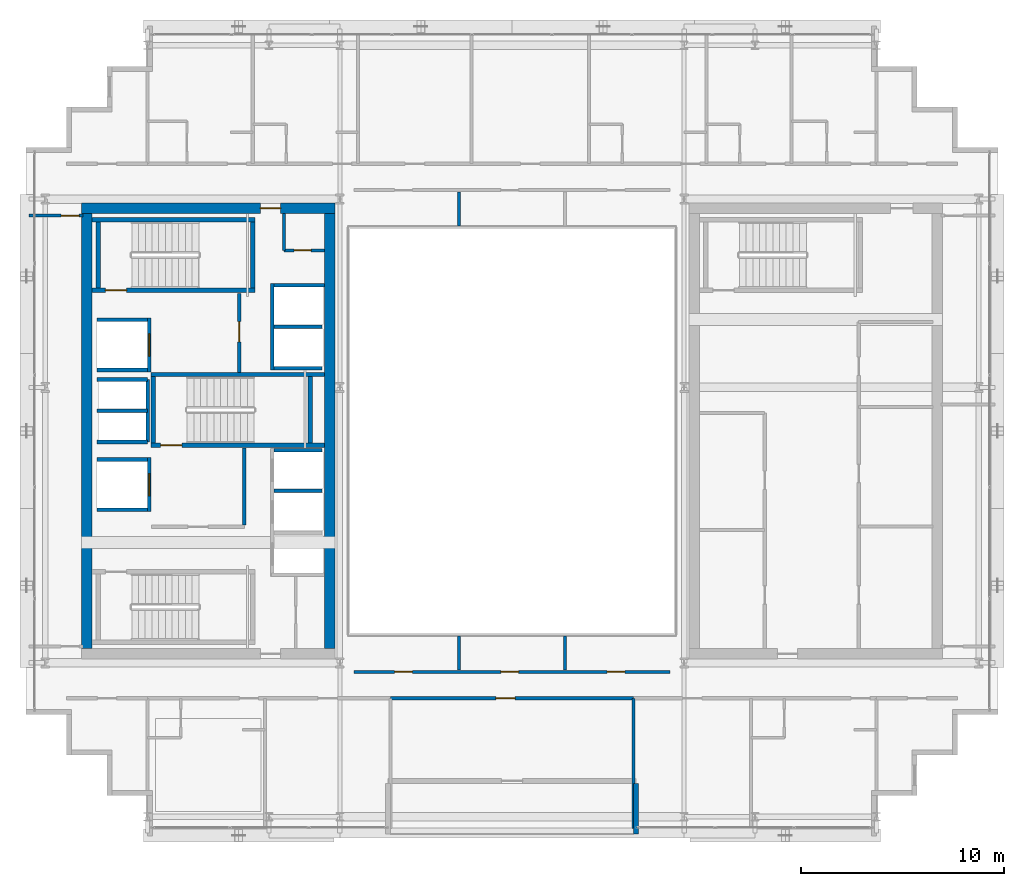
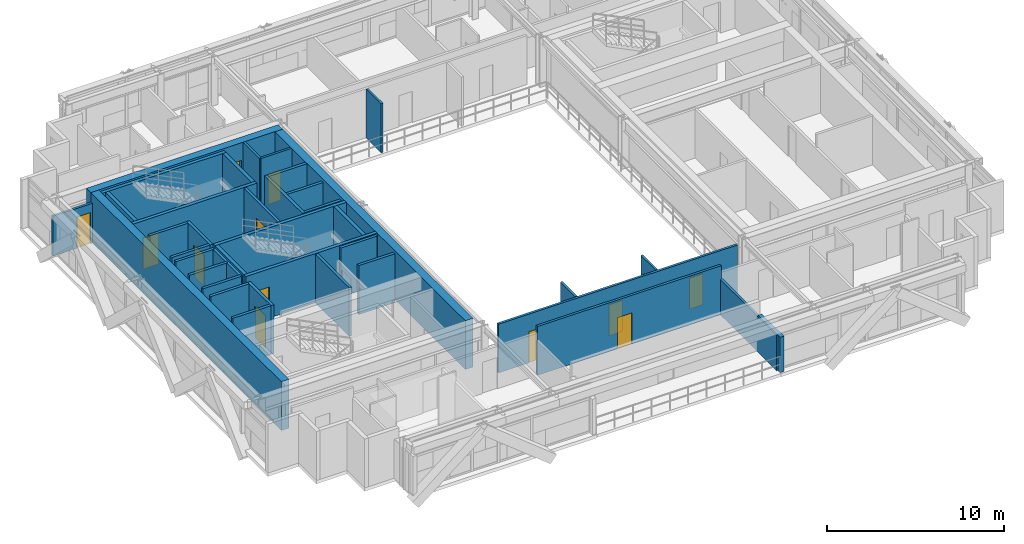
# One storey, part 24 of 31: 39 walls, 12 doors, 12 openings.
"""IFC4 building model written with IfcOpenShell, lengths in metres."""

from ifc_helpers import new_model, si_unit, direction, frame, frame_2d, origin, place, context, subcontext, project, spatial, rectangle, extrude, source, transform, mapped, material, layer, layer_set, type_object, element, fill, save


model = new_model("IFC4")

# Units and contexts
model_context = context("Model", 3, precision=1e-05, world=origin(), true_north=direction((0.0, 1.0)))
body_context = subcontext(model_context, "Body", "Model", "MODEL_VIEW")
ifc_project = project(units=[si_unit("LENGTHUNIT", "METRE"), si_unit("AREAUNIT", "SQUARE_METRE"), si_unit("VOLUMEUNIT", "CUBIC_METRE"), si_unit("PLANEANGLEUNIT", "RADIAN"), si_unit("MASSUNIT", "GRAM", prefix="KILO")], contexts=[model_context])

# Site, building, storey
site_placement = place(None, origin())
site = spatial("IfcSite", under=ifc_project, at=site_placement, CompositionType="ELEMENT")
building_placement = place(site_placement, origin())
building = spatial("IfcBuilding", under=site, at=building_placement, Name="Ocotamira Hotel", CompositionType="ELEMENT")
storey_placement = place(building_placement, frame((0.0, 0.0, 188.39990234375)))
storey = spatial("IfcBuildingStorey", under=building, at=storey_placement, Name="L47", CompositionType="ELEMENT", Elevation=188.39990234375)

# Wall, opening, door
ifc_material_1 = material(Name="Concrete C50/60", Category="concrete")
ifc_layer_1 = layer(ifc_material_1, 0.5)
ifc_layer_set_1 = layer_set([ifc_layer_1], Name="Concrete C50/60")
wall_type_1 = type_object("IfcWallType", Name="WL-CORE-500", PredefinedType="SHEAR", material=ifc_layer_set_1)
wall_1_placement = place(storey_placement, frame((10.75, 37.0, 0.0), z_axis=(0.0, 0.0, 1.0), x_axis=(1.0, 0.0, 0.0)))
wall_1 = element("IfcWall", 1, at=wall_1_placement, inside=storey, type_object=wall_type_1, Name="L47 Shear Core Wall WCORE-N", PredefinedType="SHEAR", context=body_context, shape_type="SweptSolid", body=[
    extrude(rectangle(XDim=12.5, YDim=0.5, at=frame_2d((6.25, 0.0))), origin(), (0.0, 0.0, 1.0), 3.3701171875),
])
opening_1_placement = place(wall_1_placement, frame((8.830078125, 0.0, 0.0)))
opening_1 = element("IfcOpeningElement", 2, at=opening_1_placement, cuts=wall_1, Name="Opening D-FR2", PredefinedType="OPENING", context=body_context, shape_type="SweptSolid", body=[
    extrude(rectangle(XDim=1.0, YDim=2.14990234375, at=frame_2d((0.5, 1.074951171875))), frame((0.0, 0.260009765625, 0.0), z_axis=(0.0, -1.0, 0.0), x_axis=(1.0, 0.0, 0.0)), (0.0, 0.0, 1.0), 0.52001953125),
])
ifc_material_2 = material(Name="Fire-rated acoustic timber-veneer door", Category="wood")
door_type_1 = type_object("IfcDoorType", Name="DR-FIRE-1000", OperationType="NOTDEFINED", PredefinedType="DOOR", material=ifc_material_2)
shared_shape_1 = source(origin(), body_context, "Body", "SweptSolid", [
    extrude(rectangle(XDim=1.0, YDim=2.14990234375, at=frame_2d((0.5, 1.074951171875))), frame((0.0, 0.02490234375, 0.0), z_axis=(0.0, -1.0, 0.0), x_axis=(1.0, 0.0, 0.0)), (0.0, 0.0, 1.0), 0.050048828125),
])
door_1_placement = place(opening_1_placement, origin())
door_1 = element("IfcDoor", 3, at=door_1_placement, inside=storey, type_object=door_type_1, Name="L47 Door ID-L47-WLOB-N-D [ID-L47-WLOB-N-D]", OperationType="SINGLE_SWING_RIGHT", OverallHeight=2.14990234375, OverallWidth=1.0, PredefinedType="DOOR", context=body_context, shape_type="MappedRepresentation", body=[
    mapped(shared_shape_1, transform((0.0, 0.0, 0.0), scale=1.0)),
])
fill(opening_1, door_1)

# Walls
for number, where, z_axis, x_axis, name in (
    (4, (11.0, 15.25, 0.0), (0.0, 0.0, 1.0), (0.0, 1.0, 0.0), "L47 Shear Core Wall WCORE-W"),
    (5, (23.0, 15.25, 0.0), (0.0, 0.0, 1.0), (0.0, 1.0, 0.0), "L47 Shear Core Wall WCORE-E"),
):
    element("IfcWall", number, at=place(storey_placement, frame(where, z_axis=z_axis, x_axis=x_axis)), inside=storey, type_object=wall_type_1, Name=name, PredefinedType="SHEAR", context=body_context, shape_type="SweptSolid", body=[
        extrude(rectangle(XDim=21.5, YDim=0.5, at=frame_2d((10.75, 0.0))), origin(), (0.0, 0.0, 1.0), 3.3701171875),
    ])
ifc_material_3 = material(Name="Precast concrete C45/55", Category="concrete")
ifc_layer_2 = layer(ifc_material_3, 0.25)
ifc_layer_set_2 = layer_set([ifc_layer_2], Name="Precast concrete C45/55")
wall_type_2 = type_object("IfcWallType", Name="WL-EXT-SER-250", PredefinedType="SOLIDWALL", material=ifc_layer_set_2)
wall_2_placement = place(storey_placement, frame((38.125, 6.10009765625, 0.0), z_axis=(0.0, 0.0, 1.0), x_axis=(0.0, 1.0, 0.0)))
element("IfcWall", 6, at=wall_2_placement, inside=storey, type_object=wall_type_2, Name="L47 Sky Terrace Return Wall 1R", PredefinedType="SOLIDWALL", context=body_context, shape_type="SweptSolid", body=[
    extrude(rectangle(XDim=2.5, YDim=0.25, at=frame_2d((1.25, 0.0))), origin(), (0.0, 0.0, 1.0), 2.443115234375),
])
ifc_material_4 = material(Name="Acoustic double-layer fire gypsum board partition", Category="gypsum")
ifc_layer_3 = layer(ifc_material_4, 0.159912109375)
ifc_layer_set_3 = layer_set([ifc_layer_3], Name="Acoustic double-layer fire gypsum board partition")
wall_type_3 = type_object("IfcWallType", Name="WL-FIRE-160", PredefinedType="PARTITIONING", material=ifc_layer_set_3)
wall_3_placement = place(storey_placement, frame((18.780029296875, 21.35009765625, 0.0), z_axis=(0.0, 0.0, 1.0), x_axis=(0.0, 1.0, 0.0)))
element("IfcWall", 7, at=wall_3_placement, inside=storey, type_object=wall_type_3, Name="L47 Interior Wall PW-L47-FSAE1-E", PredefinedType="PARTITIONING", context=body_context, shape_type="SweptSolid", body=[
    extrude(rectangle(XDim=3.809814453125, YDim=0.159912109375, at=frame_2d((1.90478515625, 0.0))), origin(), (0.0, 0.0, 1.0), 3.3701171875),
])

# Wall, opening, door
wall_4_placement = place(storey_placement, frame((18.530029296875, 28.89990234375, 0.0), z_axis=(0.0, 0.0, 1.0), x_axis=(0.0, 1.0, 0.0)))
wall_4 = element("IfcWall", 8, at=wall_4_placement, inside=storey, type_object=wall_type_3, Name="L47 Interior Wall PW-L47-FSAE2-E", PredefinedType="PARTITIONING", context=body_context, shape_type="SweptSolid", body=[
    extrude(rectangle(XDim=3.900146484375, YDim=0.159912109375, at=frame_2d((1.9501953125, 0.0))), origin(), (0.0, 0.0, 1.0), 3.3701171875),
])
opening_2_placement = place(wall_4_placement, frame((1.5, 0.0, 0.0)))
opening_2 = element("IfcOpeningElement", 9, at=opening_2_placement, cuts=wall_4, Name="Opening D-FR2", PredefinedType="OPENING", context=body_context, shape_type="SweptSolid", body=[
    extrude(rectangle(XDim=1.0, YDim=2.14990234375, at=frame_2d((0.5, 1.074951171875))), frame((0.0, 0.08984375, 0.0), z_axis=(0.0, -1.0, 0.0), x_axis=(1.0, 0.0, 0.0)), (0.0, 0.0, 1.0), 0.179931640625),
])
door_2_placement = place(opening_2_placement, origin())
door_2 = element("IfcDoor", 10, at=door_2_placement, inside=storey, type_object=door_type_1, Name="L47 Door ID-L47-FSAE2-D [ID-L47-FSAE2-D]", OperationType="SINGLE_SWING_RIGHT", OverallHeight=2.14990234375, OverallWidth=1.0, PredefinedType="DOOR", context=body_context, shape_type="MappedRepresentation", body=[
    mapped(shared_shape_1, transform((0.0, 0.0, 0.0), scale=1.0)),
])
fill(opening_2, door_2)

wall_5_placement = place(storey_placement, frame((26.0, 12.800048828125, 0.0), z_axis=(0.0, 0.0, 1.0), x_axis=(1.0, 0.0, 0.0)))
wall_5 = element("IfcWall", 11, at=wall_5_placement, inside=storey, type_object=wall_type_3, Name="L47 Interior Wall PW-L47-Z3C-TSALN", PredefinedType="PARTITIONING", context=body_context, shape_type="SweptSolid", body=[
    extrude(rectangle(XDim=12.0, YDim=0.159912109375, at=frame_2d((6.0, 0.0))), origin(), (0.0, 0.0, 1.0), 3.3701171875),
])
opening_3_placement = place(wall_5_placement, frame((5.199951171875, 0.0, 0.0)))
opening_3 = element("IfcOpeningElement", 12, at=opening_3_placement, cuts=wall_5, Name="Opening D-SV4", PredefinedType="OPENING", context=body_context, shape_type="SweptSolid", body=[
    extrude(rectangle(XDim=0.9599609375, YDim=2.14990234375, at=frame_2d((0.47998046875, 1.074951171875))), frame((0.0, 0.08984375, 0.0), z_axis=(0.0, -1.0, 0.0), x_axis=(1.0, 0.0, 0.0)), (0.0, 0.0, 1.0), 0.179931640625),
])
ifc_material_5 = material(Name="Fire-rated accessible walnut salon door", Category="wood")
door_type_2 = type_object("IfcDoorType", Name="DR-SERV-960", OperationType="NOTDEFINED", PredefinedType="DOOR", material=ifc_material_5)
shared_shape_2 = source(origin(), body_context, "Body", "SweptSolid", [
    extrude(rectangle(XDim=0.9599609375, YDim=2.14990234375, at=frame_2d((0.47998046875, 1.074951171875))), frame((0.0, 0.02490234375, 0.0), z_axis=(0.0, -1.0, 0.0), x_axis=(1.0, 0.0, 0.0)), (0.0, 0.0, 1.0), 0.050048828125),
])
door_3_placement = place(opening_3_placement, origin())
door_3 = element("IfcDoor", 13, at=door_3_placement, inside=storey, type_object=door_type_2, Name="L47 Door ID-L47-Z3C-TSALD [ID-L47-Z3C-TSALD]", OperationType="SINGLE_SWING_LEFT", OverallHeight=2.14990234375, OverallWidth=0.9599609375, PredefinedType="DOOR", context=body_context, shape_type="MappedRepresentation", body=[
    mapped(shared_shape_2, transform((0.0, 0.0, 0.0), scale=1.0)),
])
fill(opening_3, door_3)

# Wall
ifc_material_6 = material(Name="Acoustic hospitality gypsum board partition", Category="gypsum")
ifc_layer_4 = layer(ifc_material_6, 0.14208984375)
ifc_layer_set_4 = layer_set([ifc_layer_4], Name="Acoustic hospitality gypsum board partition")
wall_type_4 = type_object("IfcWallType", Name="WL-PART-142", PredefinedType="PARTITIONING", material=ifc_layer_set_4)
wall_6_placement = place(storey_placement, frame((20.739990234375, 34.919921875, 0.0), z_axis=(0.0, 0.0, 1.0), x_axis=(0.0, 1.0, 0.0)))
element("IfcWall", 14, at=wall_6_placement, inside=storey, type_object=wall_type_4, Name="L47 Interior Wall PW-L47-WC-NE-W1", PredefinedType="PARTITIONING", context=body_context, shape_type="SweptSolid", body=[
    extrude(rectangle(XDim=1.830078125, YDim=0.14208984375, at=frame_2d((0.9150390625, 0.0))), origin(), (0.0, 0.0, 1.0), 3.3701171875),
])

# Wall, opening, door
wall_7_placement = place(storey_placement, frame((20.739990234375, 34.919921875, 0.0), z_axis=(0.0, 0.0, 1.0), x_axis=(1.0, 0.0, 0.0)))
wall_7 = element("IfcWall", 15, at=wall_7_placement, inside=storey, type_object=wall_type_4, Name="L47 Interior Wall PW-L47-WC-NE-S1", PredefinedType="PARTITIONING", context=body_context, shape_type="SweptSolid", body=[
    extrude(rectangle(XDim=2.010009765625, YDim=0.14208984375, at=frame_2d((1.0048828125, 0.0))), origin(), (0.0, 0.0, 1.0), 3.3701171875),
])
opening_4_placement = place(wall_7_placement, frame((0.5, 0.0, 0.0)))
opening_4 = element("IfcOpeningElement", 16, at=opening_4_placement, cuts=wall_7, Name="Opening D-SV1", PredefinedType="OPENING", context=body_context, shape_type="SweptSolid", body=[
    extrude(rectangle(XDim=0.840087890625, YDim=2.10009765625, at=frame_2d((0.419921875, 1.050048828125))), frame((0.0, 0.0810546875, 0.0), z_axis=(0.0, -1.0, 0.0), x_axis=(1.0, 0.0, 0.0)), (0.0, 0.0, 1.0), 0.162109375),
])
ifc_material_7 = material(Name="Fire-rated painted steel service door", Category="steel")
door_type_3 = type_object("IfcDoorType", Name="DR-SERV-840", OperationType="NOTDEFINED", PredefinedType="DOOR", material=ifc_material_7)
shared_shape_3 = source(origin(), body_context, "Body", "SweptSolid", [
    extrude(rectangle(XDim=0.840087890625, YDim=2.10009765625, at=frame_2d((0.419921875, 1.050048828125))), frame((0.0, 0.02490234375, 0.0), z_axis=(0.0, -1.0, 0.0), x_axis=(1.0, 0.0, 0.0)), (0.0, 0.0, 1.0), 0.050048828125),
])
door_4_placement = place(opening_4_placement, origin())
door_4 = element("IfcDoor", 17, at=door_4_placement, inside=storey, type_object=door_type_3, Name="L47 Door ID-L47-WC-NE-D1 [ID-L47-WC-NE-D1]", OperationType="SINGLE_SWING_LEFT", OverallHeight=2.10009765625, OverallWidth=0.840087890625, PredefinedType="DOOR", context=body_context, shape_type="MappedRepresentation", body=[
    mapped(shared_shape_3, transform((0.0, 0.0, 0.0), scale=1.0)),
])
fill(opening_4, door_4)

# Walls
for number, where, z_axis, x_axis, name in (
    (18, (29.375, 14.199951171875, 0.0), (0.0, 0.0, 1.0), (0.0, 1.0, 0.0), "L47 Interior Wall PW-L47-Z3C-ASDV1"),
    (19, (29.375, 36.1201171875, 0.0), (0.0, 0.0, 1.0), (0.0, 1.0, 0.0), "L47 Interior Wall PW-L47-Z3C-ANDV1"),
    (20, (34.625, 14.199951171875, 0.0), (0.0, 0.0, 1.0), (0.0, 1.0, 0.0), "L47 Interior Wall PW-L47-Z3C-ASDV2"),
):
    element("IfcWall", number, at=place(storey_placement, frame(where, z_axis=z_axis, x_axis=x_axis)), inside=storey, type_object=wall_type_4, Name=name, PredefinedType="PARTITIONING", context=body_context, shape_type="SweptSolid", body=[
        extrude(rectangle(XDim=1.679931640625, YDim=0.14208984375, at=frame_2d((0.83984375, 0.0))), origin(), (0.0, 0.0, 1.0), 3.3701171875),
    ])

# Wall, openings, doors
ifc_layer_5 = layer(ifc_material_6, 0.14990234375)
ifc_layer_set_5 = layer_set([ifc_layer_5], Name="Acoustic hospitality gypsum board partition")
wall_type_5 = type_object("IfcWallType", Name="WL-PART-150", PredefinedType="PARTITIONING", material=ifc_layer_set_5)
wall_8_placement = place(storey_placement, frame((24.199951171875, 14.10009765625, 0.0), z_axis=(0.0, 0.0, 1.0), x_axis=(1.0, 0.0, 0.0)))
wall_8 = element("IfcWall", 21, at=wall_8_placement, inside=storey, type_object=wall_type_5, Name="L47 Interior Wall PW-L47-Z3C-ATRSW", PredefinedType="PARTITIONING", context=body_context, shape_type="SweptSolid", body=[
    extrude(rectangle(XDim=15.60009765625, YDim=0.14990234375, at=frame_2d((7.800048828125, 0.0))), origin(), (0.0, 0.0, 1.0), 3.3701171875),
])
opening_5_placement = place(wall_8_placement, frame((2.0, 0.0, 0.0)))
opening_5 = element("IfcOpeningElement", 22, at=opening_5_placement, cuts=wall_8, Name="Opening D-SV2", PredefinedType="OPENING", context=body_context, shape_type="SweptSolid", body=[
    extrude(rectangle(XDim=0.8798828125, YDim=2.14990234375, at=frame_2d((0.43994140625, 1.074951171875))), frame((0.0, 0.0849609375, 0.0), z_axis=(0.0, -1.0, 0.0), x_axis=(1.0, 0.0, 0.0)), (0.0, 0.0, 1.0), 0.169921875),
])
opening_6_placement = place(wall_8_placement, frame((7.25, 0.0, 0.0)))
opening_6 = element("IfcOpeningElement", 23, at=opening_6_placement, cuts=wall_8, Name="Opening D-SV2", PredefinedType="OPENING", context=body_context, shape_type="SweptSolid", body=[
    extrude(rectangle(XDim=0.8798828125, YDim=2.14990234375, at=frame_2d((0.43994140625, 1.074951171875))), frame((0.0, 0.0849609375, 0.0), z_axis=(0.0, -1.0, 0.0), x_axis=(1.0, 0.0, 0.0)), (0.0, 0.0, 1.0), 0.169921875),
])
opening_7_placement = place(wall_8_placement, frame((12.5, 0.0, 0.0)))
opening_7 = element("IfcOpeningElement", 24, at=opening_7_placement, cuts=wall_8, Name="Opening D-SV2", PredefinedType="OPENING", context=body_context, shape_type="SweptSolid", body=[
    extrude(rectangle(XDim=0.8798828125, YDim=2.14990234375, at=frame_2d((0.43994140625, 1.074951171875))), frame((0.0, 0.0849609375, 0.0), z_axis=(0.0, -1.0, 0.0), x_axis=(1.0, 0.0, 0.0)), (0.0, 0.0, 1.0), 0.169921875),
])
door_type_4 = type_object("IfcDoorType", Name="DR-SERV-880", OperationType="NOTDEFINED", PredefinedType="DOOR", material=ifc_material_7)
shared_shape_4 = source(origin(), body_context, "Body", "SweptSolid", [
    extrude(rectangle(XDim=0.8798828125, YDim=2.14990234375, at=frame_2d((0.43994140625, 1.074951171875))), frame((0.0, 0.02490234375, 0.0), z_axis=(0.0, -1.0, 0.0), x_axis=(1.0, 0.0, 0.0)), (0.0, 0.0, 1.0), 0.050048828125),
])
door_5_placement = place(opening_5_placement, origin())
door_5 = element("IfcDoor", 25, at=door_5_placement, inside=storey, type_object=door_type_4, Name="L47 Door ID-L47-Z3C-ASDD1 [ID-L47-Z3C-ASDD1]", OperationType="SINGLE_SWING_LEFT", OverallHeight=2.14990234375, OverallWidth=0.8798828125, PredefinedType="DOOR", context=body_context, shape_type="MappedRepresentation", body=[
    mapped(shared_shape_4, transform((0.0, 0.0, 0.0), scale=1.0)),
])
fill(opening_5, door_5)
door_6_placement = place(opening_6_placement, origin())
door_6 = element("IfcDoor", 26, at=door_6_placement, inside=storey, type_object=door_type_4, Name="L47 Door ID-L47-Z3C-ASDD2 [ID-L47-Z3C-ASDD2]", OperationType="SINGLE_SWING_LEFT", OverallHeight=2.14990234375, OverallWidth=0.8798828125, PredefinedType="DOOR", context=body_context, shape_type="MappedRepresentation", body=[
    mapped(shared_shape_4, transform((0.0, 0.0, 0.0), scale=1.0)),
])
fill(opening_6, door_6)
door_7_placement = place(opening_7_placement, origin())
door_7 = element("IfcDoor", 27, at=door_7_placement, inside=storey, type_object=door_type_4, Name="L47 Door ID-L47-Z3C-ASDD3 [ID-L47-Z3C-ASDD3]", OperationType="SINGLE_SWING_LEFT", OverallHeight=2.14990234375, OverallWidth=0.8798828125, PredefinedType="DOOR", context=body_context, shape_type="MappedRepresentation", body=[
    mapped(shared_shape_4, transform((0.0, 0.0, 0.0), scale=1.0)),
])
fill(opening_7, door_7)

# Wall, opening, door
wall_9_placement = place(storey_placement, frame((8.159912109375, 36.639892578125, 0.0), z_axis=(0.0, 0.0, 1.0), x_axis=(1.0, 0.0, 0.0)))
wall_9 = element("IfcWall", 28, at=wall_9_placement, inside=storey, type_object=wall_type_5, Name="L47 Interior Wall PW-L47-Z3C-WF-WN", PredefinedType="PARTITIONING", context=body_context, shape_type="SweptSolid", body=[
    extrude(rectangle(XDim=2.66015625, YDim=0.14990234375, at=frame_2d((1.330078125, 0.0))), origin(), (0.0, 0.0, 1.0), 2.753173828125),
])
opening_8_placement = place(wall_9_placement, frame((1.580078125, 0.0, 0.0)))
opening_8 = element("IfcOpeningElement", 29, at=opening_8_placement, cuts=wall_9, Name="Opening D-SV2", PredefinedType="OPENING", context=body_context, shape_type="SweptSolid", body=[
    extrude(rectangle(XDim=0.8798828125, YDim=2.14990234375, at=frame_2d((0.43994140625, 1.074951171875))), frame((0.0, 0.0849609375, 0.0), z_axis=(0.0, -1.0, 0.0), x_axis=(1.0, 0.0, 0.0)), (0.0, 0.0, 1.0), 0.169921875),
])
door_8_placement = place(opening_8_placement, origin())
door_8 = element("IfcDoor", 30, at=door_8_placement, inside=storey, type_object=door_type_4, Name="L47 Door ID-L47-Z3C-WF-DN [ID-L47-Z3C-WF-DN]", OperationType="SINGLE_SWING_RIGHT", OverallHeight=2.14990234375, OverallWidth=0.8798828125, PredefinedType="DOOR", context=body_context, shape_type="MappedRepresentation", body=[
    mapped(shared_shape_4, transform((0.0, 0.0, 0.0), scale=1.0)),
])
fill(opening_8, door_8)

# Walls
ifc_material_8 = material(Name="Acoustic double-stud hospitality gypsum partition", Category="gypsum")
ifc_layer_6 = layer(ifc_material_8, 0.159912109375)
ifc_layer_set_6 = layer_set([ifc_layer_6], Name="Acoustic double-stud hospitality gypsum partition")
wall_type_6 = type_object("IfcWallType", Name="WL-PART-160", PredefinedType="PARTITIONING", material=ifc_layer_set_6)
wall_10_placement = place(storey_placement, frame((38.0, 6.360107421875, 0.0), z_axis=(0.0, 0.0, 1.0), x_axis=(0.0, 1.0, 0.0)))
element("IfcWall", 31, at=wall_10_placement, inside=storey, type_object=wall_type_6, Name="L47 Interior Wall PW-L47-Z3CSE-PW0", PredefinedType="PARTITIONING", context=body_context, shape_type="SweptSolid", body=[
    extrude(rectangle(XDim=6.43994140625, YDim=0.159912109375, at=frame_2d((3.219970703125, 0.0))), origin(), (0.0, 0.0, 1.0), 2.443115234375),
])
ifc_material_9 = material(Name="Fire-rated gypsum shaftliner board assembly", Category="gypsum")
ifc_layer_7 = layer(ifc_material_9, 0.179931640625)
ifc_layer_set_7 = layer_set([ifc_layer_7], Name="Fire-rated gypsum shaftliner board assembly")
wall_type_7 = type_object("IfcWallType", Name="WL-SHAFT-180", PredefinedType="SOLIDWALL", material=ifc_layer_set_7)
for number, where, z_axis, x_axis, name in (
    (32, (20.25, 25.050048828125, 0.0), (0.0, 0.0, 1.0), (1.0, 0.0, 0.0), "L47 Interior Wall PW-L47-LFW-BANK-high-N"),
    (33, (20.25, 23.044921875, 0.0), (0.0, 0.0, 1.0), (1.0, 0.0, 0.0), "L47 Interior Wall PW-L47-LFW-DIV-LF-P8"),
):
    element("IfcWall", number, at=place(storey_placement, frame(where, z_axis=z_axis, x_axis=x_axis)), inside=storey, type_object=wall_type_7, Name=name, PredefinedType="SOLIDWALL", context=body_context, shape_type="SweptSolid", body=[
        extrude(rectangle(XDim=2.360107421875, YDim=0.179931640625, at=frame_2d((1.18017578125, 0.0))), origin(), (0.0, 0.0, 1.0), 3.3701171875),
    ])
wall_11_placement = place(storey_placement, frame((20.159912109375, 29.0, 0.0), z_axis=(0.0, 0.0, 1.0), x_axis=(0.0, 1.0, 0.0)))
element("IfcWall", 34, at=wall_11_placement, inside=storey, type_object=wall_type_7, Name="L47 Interior Wall PW-L47-LFW-BANK-obs-F", PredefinedType="SOLIDWALL", context=body_context, shape_type="SweptSolid", body=[
    extrude(rectangle(XDim=4.2900390625, YDim=0.179931640625, at=frame_2d((2.14501953125, 0.0))), origin(), (0.0, 0.0, 1.0), 3.3701171875),
])
wall_12_placement = place(storey_placement, frame((20.25, 29.090087890625, 0.0), z_axis=(0.0, 0.0, 1.0), x_axis=(1.0, 0.0, 0.0)))
element("IfcWall", 35, at=wall_12_placement, inside=storey, type_object=wall_type_7, Name="L47 Interior Wall PW-L47-LFW-BANK-obs-S", PredefinedType="SOLIDWALL", context=body_context, shape_type="SweptSolid", body=[
    extrude(rectangle(XDim=2.360107421875, YDim=0.179931640625, at=frame_2d((1.18017578125, 0.0))), origin(), (0.0, 0.0, 1.0), 3.3701171875),
])
wall_13_placement = place(storey_placement, frame((20.25, 33.199951171875, 0.0), z_axis=(0.0, 0.0, 1.0), x_axis=(1.0, 0.0, 0.0)))
element("IfcWall", 36, at=wall_13_placement, inside=storey, type_object=wall_type_7, Name="L47 Interior Wall PW-L47-LFW-BANK-obs-N", PredefinedType="SOLIDWALL", context=body_context, shape_type="SweptSolid", body=[
    extrude(rectangle(XDim=2.5, YDim=0.179931640625, at=frame_2d((1.25, 0.0))), origin(), (0.0, 0.0, 1.0), 3.3701171875),
])
wall_14_placement = place(storey_placement, frame((20.25, 31.14501953125, 0.0), z_axis=(0.0, 0.0, 1.0), x_axis=(1.0, 0.0, 0.0)))
element("IfcWall", 37, at=wall_14_placement, inside=storey, type_object=wall_type_7, Name="L47 Interior Wall PW-L47-LFW-DIV-LF-OBS1", PredefinedType="SOLIDWALL", context=body_context, shape_type="SweptSolid", body=[
    extrude(rectangle(XDim=2.360107421875, YDim=0.179931640625, at=frame_2d((1.18017578125, 0.0))), origin(), (0.0, 0.0, 1.0), 3.3701171875),
])
for number, where, z_axis, x_axis, name in (
    (38, (11.5, 22.110107421875, 0.0), (0.0, 0.0, 1.0), (1.0, 0.0, 0.0), "L47 Interior Wall PW-L47-LFW-LF-FSAE1-S"),
    (39, (11.5, 24.590087890625, 0.0), (0.0, 0.0, 1.0), (1.0, 0.0, 0.0), "L47 Interior Wall PW-L47-LFW-LF-FSAE1-N"),
):
    element("IfcWall", number, at=place(storey_placement, frame(where, z_axis=z_axis, x_axis=x_axis)), inside=storey, type_object=wall_type_7, Name=name, PredefinedType="SOLIDWALL", context=body_context, shape_type="SweptSolid", body=[
        extrude(rectangle(XDim=2.5, YDim=0.179931640625, at=frame_2d((1.25, 0.0))), origin(), (0.0, 0.0, 1.0), 3.3701171875),
    ])

# Wall, opening, door
wall_15_placement = place(storey_placement, frame((14.090087890625, 22.02001953125, 0.0), z_axis=(0.0, 0.0, 1.0), x_axis=(0.0, 1.0, 0.0)))
wall_15 = element("IfcWall", 40, at=wall_15_placement, inside=storey, type_object=wall_type_7, Name="L47 Interior Wall PW-L47-LFW-LF-FSAE1-E", PredefinedType="SOLIDWALL", context=body_context, shape_type="SweptSolid", body=[
    extrude(rectangle(XDim=2.659912109375, YDim=0.179931640625, at=frame_2d((1.330078125, 0.0))), origin(), (0.0, 0.0, 1.0), 3.3701171875),
])
opening_9_placement = place(wall_15_placement, frame((0.780029296875, 0.0, 0.0)))
opening_9 = element("IfcOpeningElement", 41, at=opening_9_placement, cuts=wall_15, Name="Opening LD-LF-FSAE1", PredefinedType="OPENING", context=body_context, shape_type="SweptSolid", body=[
    extrude(rectangle(XDim=1.10009765625, YDim=2.199951171875, at=frame_2d((0.550048828125, 1.10009765625))), frame((0.0, 0.10009765625, 0.0), z_axis=(0.0, -1.0, 0.0), x_axis=(1.0, 0.0, 0.0)), (0.0, 0.0, 1.0), 0.199951171875),
])
ifc_material_10 = material(Name="Brushed pale-metal stainless elevator landing door", Category="steel")
door_type_5 = type_object("IfcDoorType", Name="DR-LIFT-1100", OperationType="NOTDEFINED", PredefinedType="DOOR", material=ifc_material_10)
shared_shape_5 = source(origin(), body_context, "Body", "SweptSolid", [
    extrude(rectangle(XDim=1.10009765625, YDim=2.199951171875, at=frame_2d((0.550048828125, 1.10009765625))), frame((0.0, 0.02490234375, 0.0), z_axis=(0.0, -1.0, 0.0), x_axis=(1.0, 0.0, 0.0)), (0.0, 0.0, 1.0), 0.050048828125),
])
door_9_placement = place(opening_9_placement, origin())
door_9 = element("IfcDoor", 42, at=door_9_placement, inside=storey, type_object=door_type_5, Name="L47 Landing Door LD-LF-FSAE1 [ID-L47-LD-LF-FSAE1]", OperationType="DOUBLE_DOOR_SLIDING", OverallHeight=2.199951171875, OverallWidth=1.10009765625, PredefinedType="DOOR", context=body_context, shape_type="MappedRepresentation", body=[
    mapped(shared_shape_5, transform((0.0, 0.0, 0.0), scale=1.0)),
])
fill(opening_9, door_9)

# Walls
for number, where, z_axis, x_axis, name in (
    (43, (11.5, 29.010009765625, 0.0), (0.0, 0.0, 1.0), (1.0, 0.0, 0.0), "L47 Interior Wall PW-L47-LFW-LF-FSAE2-S"),
    (44, (11.5, 31.489990234375, 0.0), (0.0, 0.0, 1.0), (1.0, 0.0, 0.0), "L47 Interior Wall PW-L47-LFW-LF-FSAE2-N"),
):
    element("IfcWall", number, at=place(storey_placement, frame(where, z_axis=z_axis, x_axis=x_axis)), inside=storey, type_object=wall_type_7, Name=name, PredefinedType="SOLIDWALL", context=body_context, shape_type="SweptSolid", body=[
        extrude(rectangle(XDim=2.5, YDim=0.179931640625, at=frame_2d((1.25, 0.0))), origin(), (0.0, 0.0, 1.0), 3.3701171875),
    ])

# Wall, opening, door
wall_16_placement = place(storey_placement, frame((14.090087890625, 28.919921875, 0.0), z_axis=(0.0, 0.0, 1.0), x_axis=(0.0, 1.0, 0.0)))
wall_16 = element("IfcWall", 45, at=wall_16_placement, inside=storey, type_object=wall_type_7, Name="L47 Interior Wall PW-L47-LFW-LF-FSAE2-E", PredefinedType="SOLIDWALL", context=body_context, shape_type="SweptSolid", body=[
    extrude(rectangle(XDim=2.66015625, YDim=0.179931640625, at=frame_2d((1.330078125, 0.0))), origin(), (0.0, 0.0, 1.0), 3.3701171875),
])
opening_10_placement = place(wall_16_placement, frame((0.780029296875, 0.0, 0.0)))
opening_10 = element("IfcOpeningElement", 46, at=opening_10_placement, cuts=wall_16, Name="Opening LD-LF-FSAE2", PredefinedType="OPENING", context=body_context, shape_type="SweptSolid", body=[
    extrude(rectangle(XDim=1.10009765625, YDim=2.199951171875, at=frame_2d((0.550048828125, 1.10009765625))), frame((0.0, 0.10009765625, 0.0), z_axis=(0.0, -1.0, 0.0), x_axis=(1.0, 0.0, 0.0)), (0.0, 0.0, 1.0), 0.199951171875),
])
door_10_placement = place(opening_10_placement, origin())
door_10 = element("IfcDoor", 47, at=door_10_placement, inside=storey, type_object=door_type_5, Name="L47 Landing Door LD-LF-FSAE2 [ID-L47-LD-LF-FSAE2]", OperationType="DOUBLE_DOOR_SLIDING", OverallHeight=2.199951171875, OverallWidth=1.10009765625, PredefinedType="DOOR", context=body_context, shape_type="MappedRepresentation", body=[
    mapped(shared_shape_5, transform((0.0, 0.0, 0.0), scale=1.0)),
])
fill(opening_10, door_10)

# Walls
for number, where, z_axis, x_axis, name in (
    (48, (11.5, 25.4599609375, 0.0), (0.0, 0.0, 1.0), (1.0, 0.0, 0.0), "L47 Interior Wall PW-L47-RSW-S"),
    (49, (11.5, 27.0, 0.0), (0.0, 0.0, 1.0), (1.0, 0.0, 0.0), "L47 Interior Wall PW-L47-RSW-MID"),
    (50, (11.5, 28.5400390625, 0.0), (0.0, 0.0, 1.0), (1.0, 0.0, 0.0), "L47 Interior Wall PW-L47-RSW-N"),
):
    element("IfcWall", number, at=place(storey_placement, frame(where, z_axis=z_axis, x_axis=x_axis)), inside=storey, type_object=wall_type_7, Name=name, PredefinedType="SOLIDWALL", context=body_context, shape_type="SweptSolid", body=[
        extrude(rectangle(XDim=2.510009765625, YDim=0.179931640625, at=frame_2d((1.2548828125, 0.0))), origin(), (0.0, 0.0, 1.0), 3.3701171875),
    ])
wall_17_placement = place(storey_placement, frame((14.010009765625, 25.4599609375, 0.0), z_axis=(0.0, 0.0, 1.0), x_axis=(0.0, 1.0, 0.0)))
element("IfcWall", 51, at=wall_17_placement, inside=storey, type_object=wall_type_7, Name="L47 Interior Wall PW-L47-RSW-E", PredefinedType="SOLIDWALL", context=body_context, shape_type="SweptSolid", body=[
    extrude(rectangle(XDim=3.080078125, YDim=0.179931640625, at=frame_2d((1.5400390625, 0.0))), origin(), (0.0, 0.0, 1.0), 3.3701171875),
])

# Wall, opening, door
ifc_layer_8 = layer(ifc_material_1, 0.219970703125)
ifc_layer_set_8 = layer_set([ifc_layer_8], Name="Concrete C50/60")
wall_type_8 = type_object("IfcWallType", Name="WL-STAIR-220", PredefinedType="SHEAR", material=ifc_layer_set_8)
wall_18_placement = place(storey_placement, frame((11.25, 32.93994140625, 0.0), z_axis=(0.0, 0.0, 1.0), x_axis=(1.0, 0.0, 0.0)))
wall_18 = element("IfcWall", 52, at=wall_18_placement, inside=storey, type_object=wall_type_8, Name="L47 Stair Shaft Structural Wall ST-2-S", PredefinedType="SHEAR", context=body_context, shape_type="SweptSolid", body=[
    extrude(rectangle(XDim=8.06005859375, YDim=0.219970703125, at=frame_2d((4.030029296875, 0.0))), origin(), (0.0, 0.0, 1.0), 3.400146484375),
])
opening_11_placement = place(wall_18_placement, frame((0.669921875, 0.0, 0.0)))
opening_11 = element("IfcOpeningElement", 53, at=opening_11_placement, cuts=wall_18, Name="Opening D-ST2", PredefinedType="OPENING", context=body_context, shape_type="SweptSolid", body=[
    extrude(rectangle(XDim=1.050048828125, YDim=2.14990234375, at=frame_2d((0.52490234375, 1.074951171875))), frame((0.0, 0.1201171875, 0.0), z_axis=(0.0, -1.0, 0.0), x_axis=(1.0, 0.0, 0.0)), (0.0, 0.0, 1.0), 0.239990234375),
])
ifc_material_11 = material(Name="Insulated painted hollow-metal fire exit door", Category="steel")
door_type_6 = type_object("IfcDoorType", Name="DR-STAIR-1050", OperationType="NOTDEFINED", PredefinedType="DOOR", material=ifc_material_11)
shared_shape_6 = source(origin(), body_context, "Body", "SweptSolid", [
    extrude(rectangle(XDim=1.050048828125, YDim=2.14990234375, at=frame_2d((0.52490234375, 1.074951171875))), frame((0.0, 0.02490234375, 0.0), z_axis=(0.0, -1.0, 0.0), x_axis=(1.0, 0.0, 0.0)), (0.0, 0.0, 1.0), 0.050048828125),
])
door_11_placement = place(opening_11_placement, origin())
door_11 = element("IfcDoor", 54, at=door_11_placement, inside=storey, type_object=door_type_6, Name="L47 Door ID-L47-STD-ST-2 [ID-L47-STD-ST-2]", OperationType="SINGLE_SWING_LEFT", OverallHeight=2.14990234375, OverallWidth=1.050048828125, PredefinedType="DOOR", context=body_context, shape_type="MappedRepresentation", body=[
    mapped(shared_shape_6, transform((0.0, 0.0, 0.0), scale=1.0)),
])
fill(opening_11, door_11)

# Walls
wall_19_placement = place(storey_placement, frame((11.25, 36.43994140625, 0.0), z_axis=(0.0, 0.0, 1.0), x_axis=(1.0, 0.0, 0.0)))
element("IfcWall", 55, at=wall_19_placement, inside=storey, type_object=wall_type_8, Name="L47 Stair Shaft Structural Wall ST-2-N", PredefinedType="SHEAR", context=body_context, shape_type="SweptSolid", body=[
    extrude(rectangle(XDim=8.06005859375, YDim=0.219970703125, at=frame_2d((4.030029296875, 0.0))), origin(), (0.0, 0.0, 1.0), 3.400146484375),
])
for number, where, z_axis, x_axis, name in (
    (56, (11.56005859375, 33.050048828125, 0.0), (0.0, 0.0, 1.0), (0.0, 1.0, 0.0), "L47 Stair Shaft Structural Wall ST-2-W"),
    (57, (19.199951171875, 33.050048828125, 0.0), (0.0, 0.0, 1.0), (0.0, 1.0, 0.0), "L47 Stair Shaft Structural Wall ST-2-E"),
):
    element("IfcWall", number, at=place(storey_placement, frame(where, z_axis=z_axis, x_axis=x_axis)), inside=storey, type_object=wall_type_8, Name=name, PredefinedType="SHEAR", context=body_context, shape_type="SweptSolid", body=[
        extrude(rectangle(XDim=3.280029296875, YDim=0.219970703125, at=frame_2d((1.64013671875, 0.0))), origin(), (0.0, 0.0, 1.0), 3.400146484375),
    ])

# Wall, opening, door
wall_20_placement = place(storey_placement, frame((14.179931640625, 25.2900390625, 0.0), z_axis=(0.0, 0.0, 1.0), x_axis=(1.0, 0.0, 0.0)))
wall_20 = element("IfcWall", 58, at=wall_20_placement, inside=storey, type_object=wall_type_8, Name="L47 Stair Shaft Structural Wall ST-3-S", PredefinedType="SHEAR", context=body_context, shape_type="SweptSolid", body=[
    extrude(rectangle(XDim=8.570068359375, YDim=0.219970703125, at=frame_2d((4.28515625, 0.0))), origin(), (0.0, 0.0, 1.0), 3.400146484375),
])
opening_12_placement = place(wall_20_placement, frame((0.469970703125, 0.0, 0.0)))
opening_12 = element("IfcOpeningElement", 59, at=opening_12_placement, cuts=wall_20, Name="Opening D-ST2", PredefinedType="OPENING", context=body_context, shape_type="SweptSolid", body=[
    extrude(rectangle(XDim=1.050048828125, YDim=2.14990234375, at=frame_2d((0.52490234375, 1.074951171875))), frame((0.0, 0.1201171875, 0.0), z_axis=(0.0, -1.0, 0.0), x_axis=(1.0, 0.0, 0.0)), (0.0, 0.0, 1.0), 0.239990234375),
])
door_12_placement = place(opening_12_placement, origin())
door_12 = element("IfcDoor", 60, at=door_12_placement, inside=storey, type_object=door_type_6, Name="L47 Door ID-L47-STD-ST-3 [ID-L47-STD-ST-3]", OperationType="SINGLE_SWING_RIGHT", OverallHeight=2.14990234375, OverallWidth=1.050048828125, PredefinedType="DOOR", context=body_context, shape_type="MappedRepresentation", body=[
    mapped(shared_shape_6, transform((0.0, 0.0, 0.0), scale=1.0)),
])
fill(opening_12, door_12)

# Walls
wall_21_placement = place(storey_placement, frame((14.179931640625, 28.7900390625, 0.0), z_axis=(0.0, 0.0, 1.0), x_axis=(1.0, 0.0, 0.0)))
element("IfcWall", 61, at=wall_21_placement, inside=storey, type_object=wall_type_8, Name="L47 Stair Shaft Structural Wall ST-3-N", PredefinedType="SHEAR", context=body_context, shape_type="SweptSolid", body=[
    extrude(rectangle(XDim=8.570068359375, YDim=0.219970703125, at=frame_2d((4.28515625, 0.0))), origin(), (0.0, 0.0, 1.0), 3.400146484375),
])
for number, where, z_axis, x_axis, name in (
    (62, (14.2900390625, 25.39990234375, 0.0), (0.0, 0.0, 1.0), (0.0, 1.0, 0.0), "L47 Stair Shaft Structural Wall ST-3-W"),
    (63, (22.030029296875, 25.39990234375, 0.0), (0.0, 0.0, 1.0), (0.0, 1.0, 0.0), "L47 Stair Shaft Structural Wall ST-3-E"),
):
    element("IfcWall", number, at=place(storey_placement, frame(where, z_axis=z_axis, x_axis=x_axis)), inside=storey, type_object=wall_type_8, Name=name, PredefinedType="SHEAR", context=body_context, shape_type="SweptSolid", body=[
        extrude(rectangle(XDim=3.280029296875, YDim=0.219970703125, at=frame_2d((1.64013671875, 0.0))), origin(), (0.0, 0.0, 1.0), 3.400146484375),
    ])

save(model, "model.ifc")
